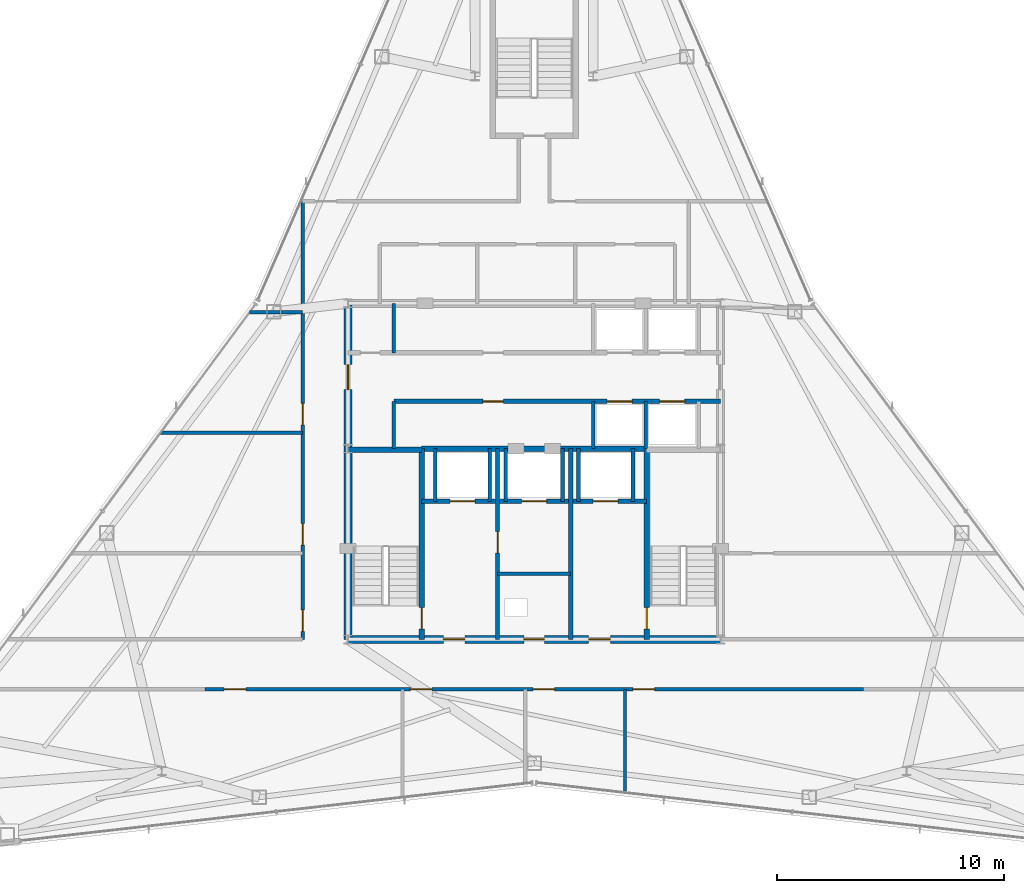
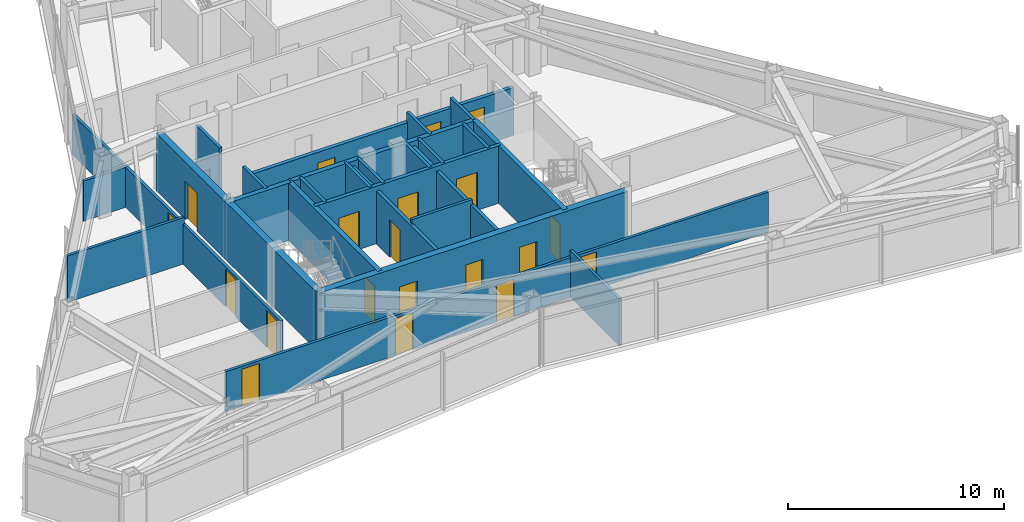
# One storey, part 9 of 12: 26 walls, 20 doors, 20 openings.
"""IFC4 building model written with IfcOpenShell, lengths in metres."""

from ifc_helpers import new_model, si_unit, direction, frame, frame_2d, origin, place, context, subcontext, project, spatial, rectangle, extrude, material, layer, layer_set, type_object, element, fill, save


model = new_model("IFC4")

# Units and contexts
model_context = context("Model", 3, precision=1e-05, world=origin(), true_north=direction((0.0, 1.0)))
body_context = subcontext(model_context, "Body", "Model", "MODEL_VIEW")
ifc_project = project(units=[si_unit("LENGTHUNIT", "METRE"), si_unit("AREAUNIT", "SQUARE_METRE"), si_unit("VOLUMEUNIT", "CUBIC_METRE"), si_unit("PLANEANGLEUNIT", "RADIAN"), si_unit("MASSUNIT", "GRAM", prefix="KILO")], contexts=[model_context])

# Site, building, storey
site_placement = place(None, origin())
site = spatial("IfcSite", under=ifc_project, at=site_placement, CompositionType="ELEMENT")
building_placement = place(site_placement, origin())
building = spatial("IfcBuilding", under=site, at=building_placement, Name="Varakhsha Concourse Tower", CompositionType="ELEMENT")
storey_placement = place(building_placement, frame((0.0, 0.0, 283.0)))
storey = spatial("IfcBuildingStorey", under=building, at=storey_placement, Name="L80", CompositionType="ELEMENT", Elevation=283.0)

# Wall, openings, doors
ifc_material_1 = material(Name="Concrete fc 65 MPa", Category="concrete")
ifc_layer_1 = layer(ifc_material_1, 0.35009765625, Name="WL-CORE-350")
ifc_layer_set_1 = layer_set([ifc_layer_1], Name="Concrete fc 65 MPa")
wall_type_1 = type_object("IfcWallType", Name="WL-CORE-350", PredefinedType="SHEAR", material=ifc_layer_set_1)
wall_1_placement = place(storey_placement, frame((31.800048828125, 16.39990234375, 0.0), z_axis=(0.0, 0.0, 1.0), x_axis=(1.0, 0.0, 0.0)))
wall_1 = element("IfcWall", 1, at=wall_1_placement, inside=storey, type_object=wall_type_1, Name="L80 Wall CWALL-S-L80", PredefinedType="SHEAR", context=body_context, shape_type="SweptSolid", body=[
    extrude(rectangle(XDim=16.39990234375, YDim=0.35009765625, at=frame_2d((8.199951171875, 0.0))), origin(), (0.0, 0.0, 1.0), 3.25),
])
opening_1_placement = place(wall_1_placement, frame((7.75, 0.0, 0.0)))
opening_1 = element("IfcOpeningElement", 2, at=opening_1_placement, cuts=wall_1, Name="Opening DF-06", PredefinedType="OPENING", context=body_context, shape_type="SweptSolid", body=[
    extrude(rectangle(XDim=0.89990234375, YDim=2.10009765625, at=frame_2d((0.449951171875, 1.050048828125))), frame((0.0, 0.18505859375, 0.0), z_axis=(0.0, -1.0, 0.0), x_axis=(1.0, 0.0, 0.0)), (0.0, 0.0, 1.0), 0.3701171875),
])
opening_2_placement = place(wall_1_placement, frame((4.199951171875, 0.0, 0.0)))
opening_2 = element("IfcOpeningElement", 3, at=opening_2_placement, cuts=wall_1, Name="Opening DF-05", PredefinedType="OPENING", context=body_context, shape_type="SweptSolid", body=[
    extrude(rectangle(XDim=0.949951171875, YDim=2.10009765625, at=frame_2d((0.47509765625, 1.050048828125))), frame((0.0, 0.18505859375, 0.0), z_axis=(0.0, -1.0, 0.0), x_axis=(1.0, 0.0, 0.0)), (0.0, 0.0, 1.0), 0.3701171875),
])
opening_3_placement = place(wall_1_placement, frame((10.60009765625, 0.0, 0.0)))
opening_3 = element("IfcOpeningElement", 4, at=opening_3_placement, cuts=wall_1, Name="Opening DF-05", PredefinedType="OPENING", context=body_context, shape_type="SweptSolid", body=[
    extrude(rectangle(XDim=0.949951171875, YDim=2.10009765625, at=frame_2d((0.47509765625, 1.050048828125))), frame((0.0, 0.18505859375, 0.0), z_axis=(0.0, -1.0, 0.0), x_axis=(1.0, 0.0, 0.0)), (0.0, 0.0, 1.0), 0.3701171875),
])
ifc_material_2 = material(Name="Hollow Galvanised Steel Fire Door Assembly", Category="steel")
door_type_1 = type_object("IfcDoorType", Name="DR-FD60-900", OperationType="NOTDEFINED", PredefinedType="DOOR", material=ifc_material_2)
door_1_placement = place(opening_1_placement, origin())
door_1 = element("IfcDoor", 5, at=door_1_placement, inside=storey, type_object=door_type_1, Name="L80 Electrical Riser Access Door", OperationType="SINGLE_SWING_LEFT", OverallHeight=2.10009765625, OverallWidth=0.89990234375, PredefinedType="DOOR", context=body_context, shape_type="SweptSolid", body=[
    extrude(rectangle(XDim=0.89990234375, YDim=2.10009765625, at=frame_2d((0.449951171875, 1.050048828125))), frame((0.0, 0.02490234375, 0.0), z_axis=(0.0, -1.0, 0.0), x_axis=(1.0, 0.0, 0.0)), (0.0, 0.0, 1.0), 0.050048828125),
])
fill(opening_1, door_1)
door_type_2 = type_object("IfcDoorType", Name="DR-FD60-950", OperationType="NOTDEFINED", PredefinedType="DOOR", material=ifc_material_2)
door_2_placement = place(opening_2_placement, origin())
door_2 = element("IfcDoor", 6, at=door_2_placement, inside=storey, type_object=door_type_2, Name="L80 Firefighting Lobby West Door", OperationType="SINGLE_SWING_RIGHT", OverallHeight=2.10009765625, OverallWidth=0.949951171875, PredefinedType="DOOR", context=body_context, shape_type="SweptSolid", body=[
    extrude(rectangle(XDim=0.949951171875, YDim=2.10009765625, at=frame_2d((0.47509765625, 1.050048828125))), frame((0.0, 0.02490234375, 0.0), z_axis=(0.0, -1.0, 0.0), x_axis=(1.0, 0.0, 0.0)), (0.0, 0.0, 1.0), 0.050048828125),
])
fill(opening_2, door_2)
door_3_placement = place(opening_3_placement, origin())
door_3 = element("IfcDoor", 7, at=door_3_placement, inside=storey, type_object=door_type_2, Name="L80 Firefighting Lobby East Door", OperationType="SINGLE_SWING_LEFT", OverallHeight=2.10009765625, OverallWidth=0.949951171875, PredefinedType="DOOR", context=body_context, shape_type="SweptSolid", body=[
    extrude(rectangle(XDim=0.949951171875, YDim=2.10009765625, at=frame_2d((0.47509765625, 1.050048828125))), frame((0.0, 0.02490234375, 0.0), z_axis=(0.0, -1.0, 0.0), x_axis=(1.0, 0.0, 0.0)), (0.0, 0.0, 1.0), 0.050048828125),
])
fill(opening_3, door_3)

# Wall, opening, door
wall_2_placement = place(storey_placement, frame((31.800048828125, 16.39990234375, 0.0), z_axis=(0.0, 0.0, 1.0), x_axis=(0.0, 1.0, 0.0)))
wall_2 = element("IfcWall", 8, at=wall_2_placement, inside=storey, type_object=wall_type_1, Name="L80 Wall CWALL-W-L80", PredefinedType="SHEAR", context=body_context, shape_type="SweptSolid", body=[
    extrude(rectangle(XDim=14.800048828125, YDim=0.35009765625, at=frame_2d((7.39990234375, 0.0))), origin(), (0.0, 0.0, 1.0), 3.25),
])
opening_4_placement = place(wall_2_placement, frame((11.0, 0.0, 0.0)))
opening_4 = element("IfcOpeningElement", 9, at=opening_4_placement, cuts=wall_2, Name="Opening DL-01", PredefinedType="OPENING", context=body_context, shape_type="SweptSolid", body=[
    extrude(rectangle(XDim=1.10009765625, YDim=2.14990234375, at=frame_2d((0.550048828125, 1.074951171875))), frame((0.0, 0.18505859375, 0.0), z_axis=(0.0, -1.0, 0.0), x_axis=(1.0, 0.0, 0.0)), (0.0, 0.0, 1.0), 0.3701171875),
])
ifc_material_3 = material(Name="Anodised Bronze Architectural Aluminium AA 6063-T6", Category="aluminium")
door_type_3 = type_object("IfcDoorType", Name="DR-LOB-1100", OperationType="NOTDEFINED", PredefinedType="DOOR", material=ifc_material_3)
door_4_placement = place(opening_4_placement, origin())
door_4 = element("IfcDoor", 10, at=door_4_placement, inside=storey, type_object=door_type_3, Name="L80 Lift Lobby West Concourse Door", OperationType="SINGLE_SWING_LEFT", OverallHeight=2.14990234375, OverallWidth=1.10009765625, PredefinedType="DOOR", context=body_context, shape_type="SweptSolid", body=[
    extrude(rectangle(XDim=1.10009765625, YDim=2.14990234375, at=frame_2d((0.550048828125, 1.074951171875))), frame((0.0, 0.02490234375, 0.0), z_axis=(0.0, -1.0, 0.0), x_axis=(1.0, 0.0, 0.0)), (0.0, 0.0, 1.0), 0.050048828125),
])
fill(opening_4, door_4)

ifc_material_4 = material(Name="Fire-Rated Type X Gypsum Partition Assembly", Category="gypsum")
ifc_layer_2 = layer(ifc_material_4, 0.179931640625, Name="WL-FFLOB-180")
ifc_layer_set_2 = layer_set([ifc_layer_2], Name="Fire-Rated Type X Gypsum Partition Assembly")
wall_type_2 = type_object("IfcWallType", Name="WL-FFLOB-180", PredefinedType="PARTITIONING", material=ifc_layer_set_2)
wall_3_placement = place(storey_placement, frame((38.389892578125, 16.39990234375, 0.0), z_axis=(0.0, 0.0, 1.0), x_axis=(0.0, 1.0, 0.0)))
wall_3 = element("IfcWall", 11, at=wall_3_placement, inside=storey, type_object=wall_type_2, Name="L80 Wall FFW-1E-L80", PredefinedType="PARTITIONING", context=body_context, shape_type="SweptSolid", body=[
    extrude(rectangle(XDim=8.400146484375, YDim=0.179931640625, at=frame_2d((4.2001953125, 0.0))), origin(), (0.0, 0.0, 1.0), 2.97802734375),
])
opening_5_placement = place(wall_3_placement, frame((3.800048828125, 0.0, 0.0)))
opening_5 = element("IfcOpeningElement", 12, at=opening_5_placement, cuts=wall_3, Name="Opening DF-05", PredefinedType="OPENING", context=body_context, shape_type="SweptSolid", body=[
    extrude(rectangle(XDim=0.949951171875, YDim=2.10009765625, at=frame_2d((0.47509765625, 1.050048828125))), frame((0.0, 0.099853515625, 0.0), z_axis=(0.0, -1.0, 0.0), x_axis=(1.0, 0.0, 0.0)), (0.0, 0.0, 1.0), 0.199951171875),
])
door_5_placement = place(opening_5_placement, origin())
door_5 = element("IfcDoor", 13, at=door_5_placement, inside=storey, type_object=door_type_2, Name="L80 Service Vestibule Door", OperationType="SINGLE_SWING_RIGHT", OverallHeight=2.10009765625, OverallWidth=0.949951171875, PredefinedType="DOOR", context=body_context, shape_type="SweptSolid", body=[
    extrude(rectangle(XDim=0.949951171875, YDim=2.10009765625, at=frame_2d((0.47509765625, 1.050048828125))), frame((0.0, 0.02490234375, 0.0), z_axis=(0.0, -1.0, 0.0), x_axis=(1.0, 0.0, 0.0)), (0.0, 0.0, 1.0), 0.050048828125),
])
fill(opening_5, door_5)

# Walls
wall_4_placement = place(storey_placement, frame((41.610107421875, 16.39990234375, 0.0), z_axis=(0.0, 0.0, 1.0), x_axis=(0.0, 1.0, 0.0)))
element("IfcWall", 14, at=wall_4_placement, inside=storey, type_object=wall_type_2, Name="L80 Wall FFW-2W-L80", PredefinedType="PARTITIONING", context=body_context, shape_type="SweptSolid", body=[
    extrude(rectangle(XDim=8.400146484375, YDim=0.179931640625, at=frame_2d((4.2001953125, 0.0))), origin(), (0.0, 0.0, 1.0), 2.97802734375),
])
ifc_layer_3 = layer(ifc_material_4, 0.14990234375, Name="WL-PART-150")
ifc_layer_set_3 = layer_set([ifc_layer_3], Name="Fire-Rated Type X Gypsum Partition Assembly")
wall_type_3 = type_object("IfcWallType", Name="WL-PART-150", PredefinedType="PARTITIONING", material=ifc_layer_set_3)
wall_5_placement = place(storey_placement, frame((38.389892578125, 19.300048828125, 0.0), z_axis=(0.0, 0.0, 1.0), x_axis=(1.0, 0.0, 0.0)))
element("IfcWall", 15, at=wall_5_placement, inside=storey, type_object=wall_type_3, Name="L80 Wall RSW-H-L80", PredefinedType="PARTITIONING", context=body_context, shape_type="SweptSolid", body=[
    extrude(rectangle(XDim=3.22021484375, YDim=0.14990234375, at=frame_2d((1.610107421875, 0.0))), origin(), (0.0, 0.0, 1.0), 3.25),
])

# Wall, openings, doors
wall_6_placement = place(storey_placement, frame((29.800048828125, 16.39990234375, 0.0), z_axis=(0.0, 0.0, 1.0), x_axis=(0.0, 1.0, 0.0)))
wall_6 = element("IfcWall", 16, at=wall_6_placement, inside=storey, type_object=wall_type_3, Name="L80 Wall CRW-W-L80", PredefinedType="PARTITIONING", context=body_context, shape_type="SweptSolid", body=[
    extrude(rectangle(XDim=19.300048828125, YDim=0.14990234375, at=frame_2d((9.64990234375, 0.0))), origin(), (0.0, 0.0, 1.0), 2.264892578125),
])
opening_6_placement = place(wall_6_placement, frame((0.35009765625, 0.0, 0.0)))
opening_6 = element("IfcOpeningElement", 17, at=opening_6_placement, cuts=wall_6, Name="Opening DF-05", PredefinedType="OPENING", context=body_context, shape_type="SweptSolid", body=[
    extrude(rectangle(XDim=0.949951171875, YDim=2.10009765625, at=frame_2d((0.47509765625, 1.050048828125))), frame((0.0, 0.0849609375, 0.0), z_axis=(0.0, -1.0, 0.0), x_axis=(1.0, 0.0, 0.0)), (0.0, 0.0, 1.0), 0.169921875),
])
opening_7_placement = place(wall_6_placement, frame((4.14990234375, 0.0, 0.0)))
opening_7 = element("IfcOpeningElement", 18, at=opening_7_placement, cuts=wall_6, Name="Opening DF-05", PredefinedType="OPENING", context=body_context, shape_type="SweptSolid", body=[
    extrude(rectangle(XDim=0.949951171875, YDim=2.10009765625, at=frame_2d((0.47509765625, 1.050048828125))), frame((0.0, 0.0849609375, 0.0), z_axis=(0.0, -1.0, 0.0), x_axis=(1.0, 0.0, 0.0)), (0.0, 0.0, 1.0), 0.169921875),
])
opening_8_placement = place(wall_6_placement, frame((9.449951171875, 0.0, 0.0)))
opening_8 = element("IfcOpeningElement", 19, at=opening_8_placement, cuts=wall_6, Name="Opening DF-05", PredefinedType="OPENING", context=body_context, shape_type="SweptSolid", body=[
    extrude(rectangle(XDim=0.949951171875, YDim=2.10009765625, at=frame_2d((0.47509765625, 1.050048828125))), frame((0.0, 0.0849609375, 0.0), z_axis=(0.0, -1.0, 0.0), x_axis=(1.0, 0.0, 0.0)), (0.0, 0.0, 1.0), 0.169921875),
])
door_6_placement = place(opening_6_placement, origin())
door_6 = element("IfcDoor", 20, at=door_6_placement, inside=storey, type_object=door_type_2, Name="L80 Diplomatic Reception Gallery L80 Door", OperationType="SINGLE_SWING_LEFT", OverallHeight=2.10009765625, OverallWidth=0.949951171875, PredefinedType="DOOR", context=body_context, shape_type="SweptSolid", body=[
    extrude(rectangle(XDim=0.949951171875, YDim=2.10009765625, at=frame_2d((0.47509765625, 1.050048828125))), frame((0.0, 0.02490234375, 0.0), z_axis=(0.0, -1.0, 0.0), x_axis=(1.0, 0.0, 0.0)), (0.0, 0.0, 1.0), 0.050048828125),
])
fill(opening_6, door_6)
door_7_placement = place(opening_7_placement, origin())
door_7 = element("IfcDoor", 21, at=door_7_placement, inside=storey, type_object=door_type_2, Name="L80 Executive Director Suite L80-W2 Door", OperationType="SINGLE_SWING_RIGHT", OverallHeight=2.10009765625, OverallWidth=0.949951171875, PredefinedType="DOOR", context=body_context, shape_type="SweptSolid", body=[
    extrude(rectangle(XDim=0.949951171875, YDim=2.10009765625, at=frame_2d((0.47509765625, 1.050048828125))), frame((0.0, 0.02490234375, 0.0), z_axis=(0.0, -1.0, 0.0), x_axis=(1.0, 0.0, 0.0)), (0.0, 0.0, 1.0), 0.050048828125),
])
fill(opening_7, door_7)
door_8_placement = place(opening_8_placement, origin())
door_8 = element("IfcDoor", 22, at=door_8_placement, inside=storey, type_object=door_type_2, Name="L80 Executive Director Suite L80-W3 Door", OperationType="SINGLE_SWING_LEFT", OverallHeight=2.10009765625, OverallWidth=0.949951171875, PredefinedType="DOOR", context=body_context, shape_type="SweptSolid", body=[
    extrude(rectangle(XDim=0.949951171875, YDim=2.10009765625, at=frame_2d((0.47509765625, 1.050048828125))), frame((0.0, 0.02490234375, 0.0), z_axis=(0.0, -1.0, 0.0), x_axis=(1.0, 0.0, 0.0)), (0.0, 0.0, 1.0), 0.050048828125),
])
fill(opening_8, door_8)

wall_7_placement = place(storey_placement, frame((25.5, 14.199951171875, 0.0), z_axis=(0.0, 0.0, 1.0), x_axis=(1.0, 0.0, 0.0)))
wall_7 = element("IfcWall", 23, at=wall_7_placement, inside=storey, type_object=wall_type_3, Name="L80 Wall CRW-S-DOOR-L80", PredefinedType="PARTITIONING", context=body_context, shape_type="SweptSolid", body=[
    extrude(rectangle(XDim=29.0, YDim=0.14990234375, at=frame_2d((14.5, 0.0))), origin(), (0.0, 0.0, 1.0), 2.264892578125),
])
opening_9_placement = place(wall_7_placement, frame((0.85009765625, 0.0, 0.0)))
opening_9 = element("IfcOpeningElement", 24, at=opening_9_placement, cuts=wall_7, Name="Opening DF-05", PredefinedType="OPENING", context=body_context, shape_type="SweptSolid", body=[
    extrude(rectangle(XDim=0.949951171875, YDim=2.10009765625, at=frame_2d((0.47509765625, 1.050048828125))), frame((0.0, 0.0849609375, 0.0), z_axis=(0.0, -1.0, 0.0), x_axis=(1.0, 0.0, 0.0)), (0.0, 0.0, 1.0), 0.169921875),
])
opening_10_placement = place(wall_7_placement, frame((9.050048828125, 0.0, 0.0)))
opening_10 = element("IfcOpeningElement", 25, at=opening_10_placement, cuts=wall_7, Name="Opening DF-05", PredefinedType="OPENING", context=body_context, shape_type="SweptSolid", body=[
    extrude(rectangle(XDim=0.949951171875, YDim=2.10009765625, at=frame_2d((0.47509765625, 1.050048828125))), frame((0.0, 0.0849609375, 0.0), z_axis=(0.0, -1.0, 0.0), x_axis=(1.0, 0.0, 0.0)), (0.0, 0.0, 1.0), 0.169921875),
])
opening_11_placement = place(wall_7_placement, frame((14.449951171875, 0.0, 0.0)))
opening_11 = element("IfcOpeningElement", 26, at=opening_11_placement, cuts=wall_7, Name="Opening DF-05", PredefinedType="OPENING", context=body_context, shape_type="SweptSolid", body=[
    extrude(rectangle(XDim=0.949951171875, YDim=2.10009765625, at=frame_2d((0.47509765625, 1.050048828125))), frame((0.0, 0.0849609375, 0.0), z_axis=(0.0, -1.0, 0.0), x_axis=(1.0, 0.0, 0.0)), (0.0, 0.0, 1.0), 0.169921875),
])
opening_12_placement = place(wall_7_placement, frame((18.85009765625, 0.0, 0.0)))
opening_12 = element("IfcOpeningElement", 27, at=opening_12_placement, cuts=wall_7, Name="Opening DF-05", PredefinedType="OPENING", context=body_context, shape_type="SweptSolid", body=[
    extrude(rectangle(XDim=0.949951171875, YDim=2.10009765625, at=frame_2d((0.47509765625, 1.050048828125))), frame((0.0, 0.0849609375, 0.0), z_axis=(0.0, -1.0, 0.0), x_axis=(1.0, 0.0, 0.0)), (0.0, 0.0, 1.0), 0.169921875),
])
door_9_placement = place(opening_9_placement, origin())
door_9 = element("IfcDoor", 28, at=door_9_placement, inside=storey, type_object=door_type_2, Name="L80 Grand Corner Boardroom L80-S1 Door", OperationType="SINGLE_SWING_LEFT", OverallHeight=2.10009765625, OverallWidth=0.949951171875, PredefinedType="DOOR", context=body_context, shape_type="SweptSolid", body=[
    extrude(rectangle(XDim=0.949951171875, YDim=2.10009765625, at=frame_2d((0.47509765625, 1.050048828125))), frame((0.0, 0.02490234375, 0.0), z_axis=(0.0, -1.0, 0.0), x_axis=(1.0, 0.0, 0.0)), (0.0, 0.0, 1.0), 0.050048828125),
])
fill(opening_9, door_9)
door_10_placement = place(opening_10_placement, origin())
door_10 = element("IfcDoor", 29, at=door_10_placement, inside=storey, type_object=door_type_2, Name="L80 Executive Director Suite L80-S2 Door", OperationType="SINGLE_SWING_RIGHT", OverallHeight=2.10009765625, OverallWidth=0.949951171875, PredefinedType="DOOR", context=body_context, shape_type="SweptSolid", body=[
    extrude(rectangle(XDim=0.949951171875, YDim=2.10009765625, at=frame_2d((0.47509765625, 1.050048828125))), frame((0.0, 0.02490234375, 0.0), z_axis=(0.0, -1.0, 0.0), x_axis=(1.0, 0.0, 0.0)), (0.0, 0.0, 1.0), 0.050048828125),
])
fill(opening_10, door_10)
door_11_placement = place(opening_11_placement, origin())
door_11 = element("IfcDoor", 30, at=door_11_placement, inside=storey, type_object=door_type_2, Name="L80 Executive Director Suite L80-S3 Door", OperationType="SINGLE_SWING_LEFT", OverallHeight=2.10009765625, OverallWidth=0.949951171875, PredefinedType="DOOR", context=body_context, shape_type="SweptSolid", body=[
    extrude(rectangle(XDim=0.949951171875, YDim=2.10009765625, at=frame_2d((0.47509765625, 1.050048828125))), frame((0.0, 0.02490234375, 0.0), z_axis=(0.0, -1.0, 0.0), x_axis=(1.0, 0.0, 0.0)), (0.0, 0.0, 1.0), 0.050048828125),
])
fill(opening_11, door_11)
door_12_placement = place(opening_12_placement, origin())
door_12 = element("IfcDoor", 31, at=door_12_placement, inside=storey, type_object=door_type_2, Name="L80 Executive Director Suite L80-S4 Door", OperationType="SINGLE_SWING_RIGHT", OverallHeight=2.10009765625, OverallWidth=0.949951171875, PredefinedType="DOOR", context=body_context, shape_type="SweptSolid", body=[
    extrude(rectangle(XDim=0.949951171875, YDim=2.10009765625, at=frame_2d((0.47509765625, 1.050048828125))), frame((0.0, 0.02490234375, 0.0), z_axis=(0.0, -1.0, 0.0), x_axis=(1.0, 0.0, 0.0)), (0.0, 0.0, 1.0), 0.050048828125),
])
fill(opening_12, door_12)

# Walls
wall_8_placement = place(storey_placement, frame((44.0, 9.6533203125, 0.0), z_axis=(0.0, 0.0, 1.0), x_axis=(0.0, 1.0, 0.0)))
element("IfcWall", 32, at=wall_8_placement, inside=storey, type_object=wall_type_3, Name="L80 Wall ODIV-S3-L80", PredefinedType="PARTITIONING", context=body_context, shape_type="SweptSolid", body=[
    extrude(rectangle(XDim=4.546630859375, YDim=0.14990234375, at=frame_2d((2.2734375, 0.0))), origin(), (0.0, 0.0, 1.0), 2.6279296875),
])
wall_9_placement = place(storey_placement, frame((23.546630859375, 25.5, 0.0), z_axis=(0.0, 0.0, 1.0), x_axis=(1.0, 0.0, 0.0)))
element("IfcWall", 33, at=wall_9_placement, inside=storey, type_object=wall_type_3, Name="L80 Wall ODIV-W2-L80", PredefinedType="PARTITIONING", context=body_context, shape_type="SweptSolid", body=[
    extrude(rectangle(XDim=6.25341796875, YDim=0.14990234375, at=frame_2d((3.126708984375, 0.0))), origin(), (0.0, 0.0, 1.0), 2.6279296875),
])
wall_10_placement = place(storey_placement, frame((27.465576171875, 30.800048828125, 0.0), z_axis=(0.0, 0.0, 1.0), x_axis=(1.0, 0.0, 0.0)))
element("IfcWall", 34, at=wall_10_placement, inside=storey, type_object=wall_type_3, Name="L80 Wall ODIV-W3-L80", PredefinedType="PARTITIONING", context=body_context, shape_type="SweptSolid", body=[
    extrude(rectangle(XDim=2.33447265625, YDim=0.14990234375, at=frame_2d((1.167236328125, 0.0))), origin(), (0.0, 0.0, 1.0), 2.264892578125),
])

# Wall, openings, doors
ifc_layer_4 = layer(ifc_material_4, 0.199951171875, Name="WL-SHAFT-220")
ifc_layer_set_4 = layer_set([ifc_layer_4], Name="Fire-Rated Type X Gypsum Partition Assembly")
wall_type_4 = type_object("IfcWallType", Name="WL-SHAFT-220", PredefinedType="SOLIDWALL", material=ifc_layer_set_4)
wall_11_placement = place(storey_placement, frame((35.044921875, 22.47998046875, 0.0), z_axis=(0.0, 0.0, 1.0), x_axis=(1.0, 0.0, 0.0)))
wall_11 = element("IfcWall", 35, at=wall_11_placement, inside=storey, type_object=wall_type_4, Name="L80 Wall FFW-NH-L80", PredefinedType="SOLIDWALL", context=body_context, shape_type="SweptSolid", body=[
    extrude(rectangle(XDim=9.91015625, YDim=0.199951171875, at=frame_2d((4.955078125, 0.0))), origin(), (0.0, 0.0, 1.0), 3.25),
])
opening_13_placement = place(wall_11_placement, frame((1.2548828125, 0.0, 0.0)))
opening_13 = element("IfcOpeningElement", 36, at=opening_13_placement, cuts=wall_11, Name="Opening LD-FFL-1", PredefinedType="OPENING", context=body_context, shape_type="SweptSolid", body=[
    extrude(rectangle(XDim=1.10009765625, YDim=2.14990234375, at=frame_2d((0.550048828125, 1.074951171875))), frame((0.0, 0.10986328125, 0.0), z_axis=(0.0, -1.0, 0.0), x_axis=(1.0, 0.0, 0.0)), (0.0, 0.0, 1.0), 0.219970703125),
])
opening_14_placement = place(wall_11_placement, frame((7.554931640625, 0.0, 0.0)))
opening_14 = element("IfcOpeningElement", 37, at=opening_14_placement, cuts=wall_11, Name="Opening LD-FFL-2", PredefinedType="OPENING", context=body_context, shape_type="SweptSolid", body=[
    extrude(rectangle(XDim=1.10009765625, YDim=2.14990234375, at=frame_2d((0.550048828125, 1.074951171875))), frame((0.0, 0.10986328125, 0.0), z_axis=(0.0, -1.0, 0.0), x_axis=(1.0, 0.0, 0.0)), (0.0, 0.0, 1.0), 0.219970703125),
])
opening_15_placement = place(wall_11_placement, frame((4.405029296875, 0.0, 0.0)))
opening_15 = element("IfcOpeningElement", 38, at=opening_15_placement, cuts=wall_11, Name="Opening LD-SVL-1", PredefinedType="OPENING", context=body_context, shape_type="SweptSolid", body=[
    extrude(rectangle(XDim=1.10009765625, YDim=2.14990234375, at=frame_2d((0.550048828125, 1.074951171875))), frame((0.0, 0.10986328125, 0.0), z_axis=(0.0, -1.0, 0.0), x_axis=(1.0, 0.0, 0.0)), (0.0, 0.0, 1.0), 0.219970703125),
])
ifc_material_5 = material(Name="Brushed Austenitic Stainless Steel AISI 316", Category="steel")
door_type_4 = type_object("IfcDoorType", Name="DR-LD-1100", OperationType="DOUBLE_DOOR_SLIDING", PredefinedType="DOOR", material=ifc_material_5)
door_13_placement = place(opening_13_placement, origin())
door_13 = element("IfcDoor", 39, at=door_13_placement, inside=storey, type_object=door_type_4, Name="Lift Landing Door FFL-1 L80", OperationType="DOUBLE_DOOR_SLIDING", OverallHeight=2.14990234375, OverallWidth=1.10009765625, PredefinedType="DOOR", context=body_context, shape_type="SweptSolid", body=[
    extrude(rectangle(XDim=1.10009765625, YDim=2.14990234375, at=frame_2d((0.550048828125, 1.074951171875))), frame((0.0, 0.02490234375, 0.0), z_axis=(0.0, -1.0, 0.0), x_axis=(1.0, 0.0, 0.0)), (0.0, 0.0, 1.0), 0.050048828125),
])
fill(opening_13, door_13)
door_14_placement = place(opening_14_placement, origin())
door_14 = element("IfcDoor", 40, at=door_14_placement, inside=storey, type_object=door_type_4, Name="Lift Landing Door FFL-2 L80", OperationType="DOUBLE_DOOR_SLIDING", OverallHeight=2.14990234375, OverallWidth=1.10009765625, PredefinedType="DOOR", context=body_context, shape_type="SweptSolid", body=[
    extrude(rectangle(XDim=1.10009765625, YDim=2.14990234375, at=frame_2d((0.550048828125, 1.074951171875))), frame((0.0, 0.02490234375, 0.0), z_axis=(0.0, -1.0, 0.0), x_axis=(1.0, 0.0, 0.0)), (0.0, 0.0, 1.0), 0.050048828125),
])
fill(opening_14, door_14)
door_15_placement = place(opening_15_placement, origin())
door_15 = element("IfcDoor", 41, at=door_15_placement, inside=storey, type_object=door_type_4, Name="Lift Landing Door SVL-1 L80", OperationType="DOUBLE_DOOR_SLIDING", OverallHeight=2.14990234375, OverallWidth=1.10009765625, PredefinedType="DOOR", context=body_context, shape_type="SweptSolid", body=[
    extrude(rectangle(XDim=1.10009765625, YDim=2.14990234375, at=frame_2d((0.550048828125, 1.074951171875))), frame((0.0, 0.02490234375, 0.0), z_axis=(0.0, -1.0, 0.0), x_axis=(1.0, 0.0, 0.0)), (0.0, 0.0, 1.0), 0.050048828125),
])
fill(opening_15, door_15)

# Walls
for number, where, z_axis, x_axis, name in (
    (42, (35.64990234375, 22.47998046875, 0.0), (0.0, 0.0, 1.0), (0.0, 1.0, 0.0), "L80 Wall SHW-FFL-1-W-L80"),
    (43, (38.050048828125, 22.47998046875, 0.0), (0.0, 0.0, 1.0), (0.0, 1.0, 0.0), "L80 Wall SHW-FFL-1-E-L80"),
    (44, (41.949951171875, 22.47998046875, 0.0), (0.0, 0.0, 1.0), (0.0, 1.0, 0.0), "L80 Wall SHW-FFL-2-W-L80"),
    (45, (44.35009765625, 22.47998046875, 0.0), (0.0, 0.0, 1.0), (0.0, 1.0, 0.0), "L80 Wall SHW-FFL-2-E-L80"),
    (46, (38.75, 22.47998046875, 0.0), (0.0, 0.0, 1.0), (0.0, 1.0, 0.0), "L80 Wall SHW-SVL-1-W-L80"),
    (47, (41.25, 22.47998046875, 0.0), (0.0, 0.0, 1.0), (0.0, 1.0, 0.0), "L80 Wall SHW-SVL-1-E-L80"),
):
    element("IfcWall", number, at=place(storey_placement, frame(where, z_axis=z_axis, x_axis=x_axis)), inside=storey, type_object=wall_type_4, Name=name, PredefinedType="SOLIDWALL", context=body_context, shape_type="SweptSolid", body=[
        extrude(rectangle(XDim=2.320068359375, YDim=0.159912109375, at=frame_2d((1.16015625, 0.0))), origin(), (0.0, 0.0, 1.0), 3.25),
    ])

# Wall, openings, doors
wall_12_placement = place(storey_placement, frame((33.820068359375, 26.8798828125, 0.0), z_axis=(0.0, 0.0, 1.0), x_axis=(1.0, 0.0, 0.0)))
wall_12 = element("IfcWall", 48, at=wall_12_placement, inside=storey, type_object=wall_type_4, Name="L80 Wall PLW-S-L80", PredefinedType="SOLIDWALL", context=body_context, shape_type="SweptSolid", body=[
    extrude(rectangle(XDim=14.3798828125, YDim=0.199951171875, at=frame_2d((7.18994140625, 0.0))), origin(), (0.0, 0.0, 1.0), 2.705078125),
])
opening_16_placement = place(wall_12_placement, frame((3.919921875, 0.0, 0.0)))
opening_16 = element("IfcOpeningElement", 49, at=opening_16_placement, cuts=wall_12, Name="Opening DF-06", PredefinedType="OPENING", context=body_context, shape_type="SweptSolid", body=[
    extrude(rectangle(XDim=0.89990234375, YDim=2.10009765625, at=frame_2d((0.449951171875, 1.050048828125))), frame((0.0, 0.10986328125, 0.0), z_axis=(0.0, -1.0, 0.0), x_axis=(1.0, 0.0, 0.0)), (0.0, 0.0, 1.0), 0.219970703125),
])
opening_17_placement = place(wall_12_placement, frame((9.389892578125, 0.0, 0.0)))
opening_17 = element("IfcOpeningElement", 50, at=opening_17_placement, cuts=wall_12, Name="Opening LD-LF-P11", PredefinedType="OPENING", context=body_context, shape_type="SweptSolid", body=[
    extrude(rectangle(XDim=1.10009765625, YDim=2.14990234375, at=frame_2d((0.550048828125, 1.074951171875))), frame((0.0, 0.10986328125, 0.0), z_axis=(0.0, -1.0, 0.0), x_axis=(1.0, 0.0, 0.0)), (0.0, 0.0, 1.0), 0.219970703125),
])
opening_18_placement = place(wall_12_placement, frame((11.7099609375, 0.0, 0.0)))
opening_18 = element("IfcOpeningElement", 51, at=opening_18_placement, cuts=wall_12, Name="Opening LD-LF-P12", PredefinedType="OPENING", context=body_context, shape_type="SweptSolid", body=[
    extrude(rectangle(XDim=1.10009765625, YDim=2.14990234375, at=frame_2d((0.550048828125, 1.074951171875))), frame((0.0, 0.10986328125, 0.0), z_axis=(0.0, -1.0, 0.0), x_axis=(1.0, 0.0, 0.0)), (0.0, 0.0, 1.0), 0.219970703125),
])
door_16_placement = place(opening_16_placement, origin())
door_16 = element("IfcDoor", 52, at=door_16_placement, inside=storey, type_object=door_type_1, Name="L80 Executive Pantry and Copy Suite Door", OperationType="SINGLE_SWING_RIGHT", OverallHeight=2.10009765625, OverallWidth=0.89990234375, PredefinedType="DOOR", context=body_context, shape_type="SweptSolid", body=[
    extrude(rectangle(XDim=0.89990234375, YDim=2.10009765625, at=frame_2d((0.449951171875, 1.050048828125))), frame((0.0, 0.02490234375, 0.0), z_axis=(0.0, -1.0, 0.0), x_axis=(1.0, 0.0, 0.0)), (0.0, 0.0, 1.0), 0.050048828125),
])
fill(opening_16, door_16)
door_17_placement = place(opening_17_placement, origin())
door_17 = element("IfcDoor", 53, at=door_17_placement, inside=storey, type_object=door_type_4, Name="Lift Landing Door LF-P11 L80", OperationType="DOUBLE_DOOR_SLIDING", OverallHeight=2.14990234375, OverallWidth=1.10009765625, PredefinedType="DOOR", context=body_context, shape_type="SweptSolid", body=[
    extrude(rectangle(XDim=1.10009765625, YDim=2.14990234375, at=frame_2d((0.550048828125, 1.074951171875))), frame((0.0, 0.02490234375, 0.0), z_axis=(0.0, -1.0, 0.0), x_axis=(1.0, 0.0, 0.0)), (0.0, 0.0, 1.0), 0.050048828125),
])
fill(opening_17, door_17)
door_18_placement = place(opening_18_placement, origin())
door_18 = element("IfcDoor", 54, at=door_18_placement, inside=storey, type_object=door_type_4, Name="Lift Landing Door LF-P12 L80", OperationType="DOUBLE_DOOR_SLIDING", OverallHeight=2.14990234375, OverallWidth=1.10009765625, PredefinedType="DOOR", context=body_context, shape_type="SweptSolid", body=[
    extrude(rectangle(XDim=1.10009765625, YDim=2.14990234375, at=frame_2d((0.550048828125, 1.074951171875))), frame((0.0, 0.02490234375, 0.0), z_axis=(0.0, -1.0, 0.0), x_axis=(1.0, 0.0, 0.0)), (0.0, 0.0, 1.0), 0.050048828125),
])
fill(opening_18, door_18)

# Walls
wall_13_placement = place(storey_placement, frame((33.820068359375, 29.02001953125, 0.0), z_axis=(0.0, 0.0, 1.0), x_axis=(0.0, 1.0, 0.0)))
element("IfcWall", 55, at=wall_13_placement, inside=storey, type_object=wall_type_4, Name="L80 Wall WBOH-E1-L80", PredefinedType="SOLIDWALL", context=body_context, shape_type="SweptSolid", body=[
    extrude(rectangle(XDim=2.179931640625, YDim=0.159912109375, at=frame_2d((1.08984375, 0.0))), origin(), (0.0, 0.0, 1.0), 2.97802734375),
])
for number, where, z_axis, x_axis, name in (
    (56, (33.820068359375, 24.800048828125, 0.0), (0.0, 0.0, 1.0), (0.0, 1.0, 0.0), "L80 Wall WBOH-E2-L80"),
    (57, (42.60009765625, 24.800048828125, 0.0), (0.0, 0.0, 1.0), (0.0, 1.0, 0.0), "L80 Wall SHW-LF-P11-W-L80"),
    (58, (44.919921875, 24.800048828125, 0.0), (0.0, 0.0, 1.0), (0.0, 1.0, 0.0), "L80 Wall SHW-LF-P11-E-L80"),
):
    element("IfcWall", number, at=place(storey_placement, frame(where, z_axis=z_axis, x_axis=x_axis)), inside=storey, type_object=wall_type_4, Name=name, PredefinedType="SOLIDWALL", context=body_context, shape_type="SweptSolid", body=[
        extrude(rectangle(XDim=2.079833984375, YDim=0.159912109375, at=frame_2d((1.0400390625, 0.0))), origin(), (0.0, 0.0, 1.0), 3.25),
    ])

# Wall, opening, door
ifc_material_6 = material(Name="Concrete fc 45 MPa", Category="concrete")
ifc_layer_5 = layer(ifc_material_6, 0.25, Name="WL-STAIR-250")
ifc_layer_set_5 = layer_set([ifc_layer_5], Name="Concrete fc 45 MPa")
wall_type_5 = type_object("IfcWallType", Name="WL-STAIR-250", PredefinedType="SHEAR", material=ifc_layer_set_5)
wall_14_placement = place(storey_placement, frame((35.044921875, 16.39990234375, 0.0), z_axis=(0.0, 0.0, 1.0), x_axis=(0.0, 1.0, 0.0)))
wall_14 = element("IfcWall", 59, at=wall_14_placement, inside=storey, type_object=wall_type_5, Name="L80 Wall SWALL-ST1-E-L80", PredefinedType="SHEAR", context=body_context, shape_type="SweptSolid", body=[
    extrude(rectangle(XDim=8.400146484375, YDim=0.25, at=frame_2d((4.2001953125, 0.0))), origin(), (0.0, 0.0, 1.0), 3.25),
])
opening_19_placement = place(wall_14_placement, frame((0.449951171875, 0.0, 0.0)))
opening_19 = element("IfcOpeningElement", 60, at=opening_19_placement, cuts=wall_14, Name="Opening DF-03", PredefinedType="OPENING", context=body_context, shape_type="SweptSolid", body=[
    extrude(rectangle(XDim=0.949951171875, YDim=2.10009765625, at=frame_2d((0.47509765625, 1.050048828125))), frame((0.0, 0.135009765625, 0.0), z_axis=(0.0, -1.0, 0.0), x_axis=(1.0, 0.0, 0.0)), (0.0, 0.0, 1.0), 0.27001953125),
])
door_type_5 = type_object("IfcDoorType", Name="DR-FD90-950", OperationType="NOTDEFINED", PredefinedType="DOOR", material=ifc_material_2)
door_19_placement = place(opening_19_placement, origin())
door_19 = element("IfcDoor", 61, at=door_19_placement, inside=storey, type_object=door_type_5, Name="L80 Stair ST1 Fire Door", OperationType="SINGLE_SWING_LEFT", OverallHeight=2.10009765625, OverallWidth=0.949951171875, PredefinedType="DOOR", context=body_context, shape_type="SweptSolid", body=[
    extrude(rectangle(XDim=0.949951171875, YDim=2.10009765625, at=frame_2d((0.47509765625, 1.050048828125))), frame((0.0, 0.02490234375, 0.0), z_axis=(0.0, -1.0, 0.0), x_axis=(1.0, 0.0, 0.0)), (0.0, 0.0, 1.0), 0.050048828125),
])
fill(opening_19, door_19)

# Wall
wall_15_placement = place(storey_placement, frame((31.800048828125, 24.7548828125, 0.0), z_axis=(0.0, 0.0, 1.0), x_axis=(1.0, 0.0, 0.0)))
element("IfcWall", 62, at=wall_15_placement, inside=storey, type_object=wall_type_5, Name="L80 Wall SWALL-ST1-N-L80", PredefinedType="SHEAR", context=body_context, shape_type="SweptSolid", body=[
    extrude(rectangle(XDim=3.244873046875, YDim=0.25, at=frame_2d((1.62255859375, 0.0))), origin(), (0.0, 0.0, 1.0), 3.25),
])

# Wall, opening, door
wall_16_placement = place(storey_placement, frame((44.955078125, 16.39990234375, 0.0), z_axis=(0.0, 0.0, 1.0), x_axis=(0.0, 1.0, 0.0)))
wall_16 = element("IfcWall", 63, at=wall_16_placement, inside=storey, type_object=wall_type_5, Name="L80 Wall SWALL-ST2-W-L80", PredefinedType="SHEAR", context=body_context, shape_type="SweptSolid", body=[
    extrude(rectangle(XDim=8.400146484375, YDim=0.25, at=frame_2d((4.2001953125, 0.0))), origin(), (0.0, 0.0, 1.0), 3.25),
])
opening_20_placement = place(wall_16_placement, frame((0.449951171875, 0.0, 0.0)))
opening_20 = element("IfcOpeningElement", 64, at=opening_20_placement, cuts=wall_16, Name="Opening DF-03", PredefinedType="OPENING", context=body_context, shape_type="SweptSolid", body=[
    extrude(rectangle(XDim=0.949951171875, YDim=2.10009765625, at=frame_2d((0.47509765625, 1.050048828125))), frame((0.0, 0.135009765625, 0.0), z_axis=(0.0, -1.0, 0.0), x_axis=(1.0, 0.0, 0.0)), (0.0, 0.0, 1.0), 0.27001953125),
])
door_20_placement = place(opening_20_placement, origin())
door_20 = element("IfcDoor", 65, at=door_20_placement, inside=storey, type_object=door_type_5, Name="L80 Stair ST2 Fire Door", OperationType="SINGLE_SWING_RIGHT", OverallHeight=2.10009765625, OverallWidth=0.949951171875, PredefinedType="DOOR", context=body_context, shape_type="SweptSolid", body=[
    extrude(rectangle(XDim=0.949951171875, YDim=2.10009765625, at=frame_2d((0.47509765625, 1.050048828125))), frame((0.0, 0.02490234375, 0.0), z_axis=(0.0, -1.0, 0.0), x_axis=(1.0, 0.0, 0.0)), (0.0, 0.0, 1.0), 0.050048828125),
])
fill(opening_20, door_20)

# Wall
wall_17_placement = place(storey_placement, frame((35.044921875, 24.800048828125, 0.0), z_axis=(0.0, 0.0, 1.0), x_axis=(1.0, 0.0, 0.0)))
element("IfcWall", 66, at=wall_17_placement, inside=storey, type_object=wall_type_5, Name="L80 Wall SWALL-MID-H-L80", PredefinedType="SHEAR", context=body_context, shape_type="SweptSolid", body=[
    extrude(rectangle(XDim=9.91015625, YDim=0.25, at=frame_2d((4.955078125, 0.0))), origin(), (0.0, 0.0, 1.0), 3.25),
])

save(model, "model.ifc")
